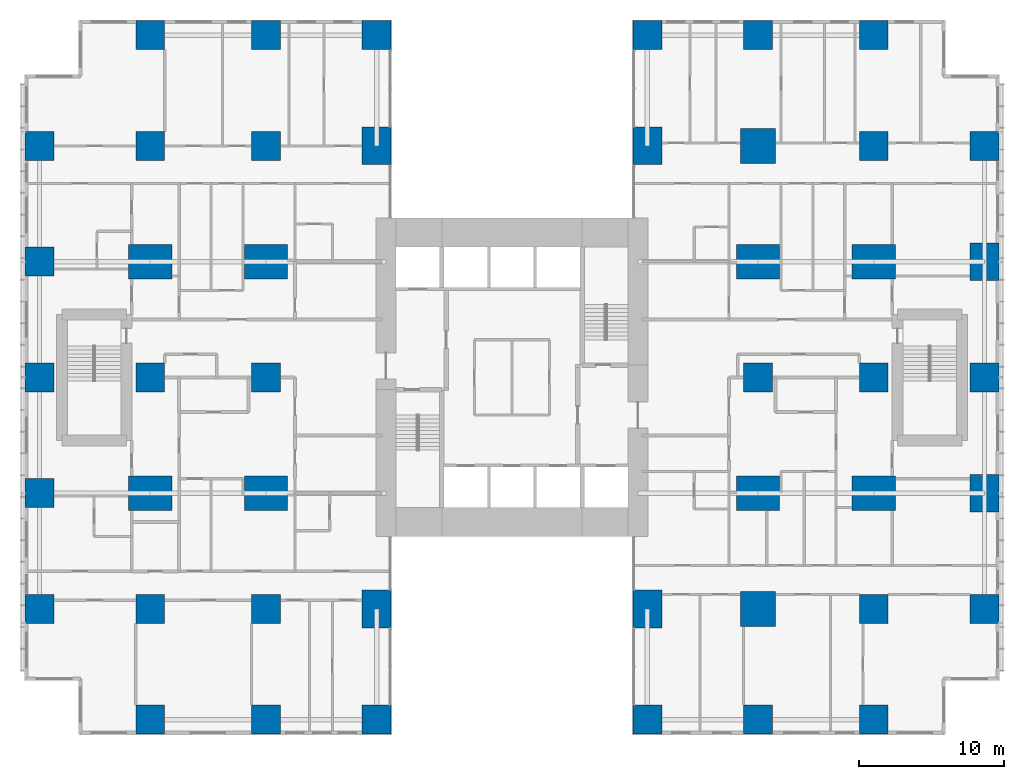
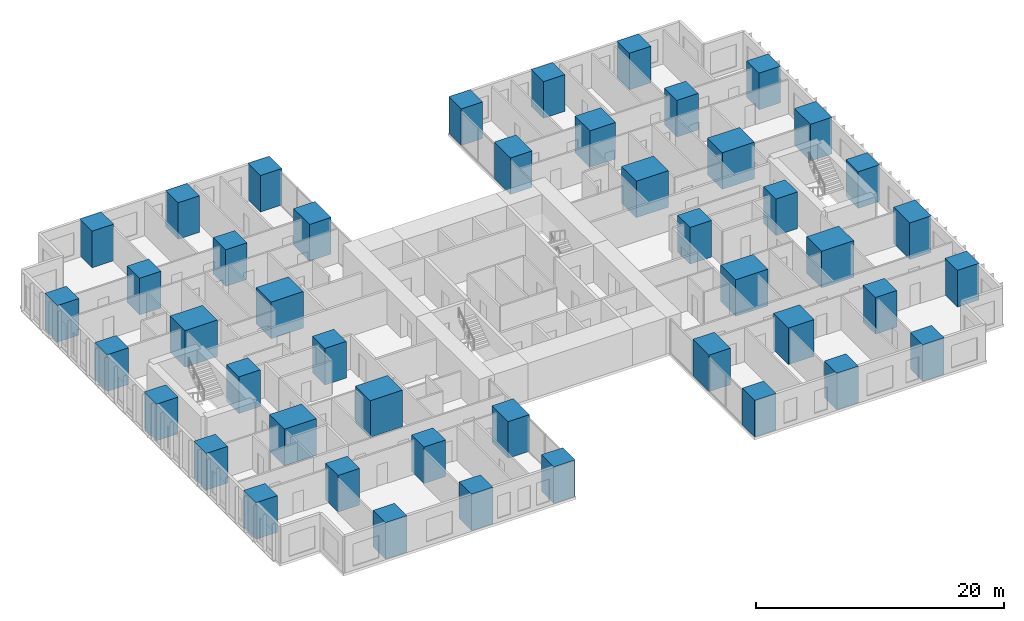
# One storey, part 1 of 20: 46 columns.
"""IFC4 building model written with IfcOpenShell, lengths in metres."""

from ifc_helpers import new_model, si_unit, direction, frame, origin, origin_2d, place, context, subcontext, project, spatial, rectangle, extrude, material, material_profile, profile_set, type_object, element, save


model = new_model("IFC4")

# Units and contexts
model_context = context("Model", 3, precision=1e-05, world=origin(), true_north=direction((0.0, 1.0)))
body_context = subcontext(model_context, "Body", "Model", "MODEL_VIEW")
ifc_project = project(units=[si_unit("LENGTHUNIT", "METRE"), si_unit("AREAUNIT", "SQUARE_METRE"), si_unit("VOLUMEUNIT", "CUBIC_METRE"), si_unit("PLANEANGLEUNIT", "RADIAN"), si_unit("MASSUNIT", "GRAM", prefix="KILO")], contexts=[model_context])

# Site, building, storey
site_placement = place(None, origin())
site = spatial("IfcSite", under=ifc_project, at=site_placement, CompositionType="ELEMENT")
building_placement = place(site_placement, origin())
building = spatial("IfcBuilding", under=site, at=building_placement, Name="Cleftline Residences", CompositionType="ELEMENT")
storey_placement = place(building_placement, frame((0.0, 0.0, 153.800048828125)))
storey = spatial("IfcBuildingStorey", under=building, at=storey_placement, Name="L40", CompositionType="ELEMENT", Elevation=153.800048828125)

# Columns
ifc_material_1 = material(Name="Concrete B70", Category="concrete")
ifc_material_profile_1 = material_profile(ifc_material_1, rectangle(XDim=2.0, YDim=2.0, at=origin_2d()))
ifc_profile_set_1 = profile_set([ifc_material_profile_1], Name="Concrete B70")
column_type_1 = type_object("IfcColumnType", Name="COLUMN RC2000X2000", PredefinedType="COLUMN", material=ifc_profile_set_1)
for number, where, z_axis, x_axis, name in (
    (1, (0.35009765625, 8.0, 0.0), (0.0, 0.0, 1.0), (1.0, 0.0, 0.0), "Column D/3"),
    (2, (0.35009765625, 16.0, 0.0), (0.0, 0.0, 1.0), (1.0, 0.0, 0.0), "Column E/3"),
    (3, (0.35009765625, 24.0, 0.0), (0.0, 0.0, 1.0), (1.0, 0.0, 0.0), "Column F/3"),
    (4, (0.35009765625, 32.0, 0.0), (0.0, 0.0, 1.0), (1.0, 0.0, 0.0), "Column G/3"),
    (5, (0.35009765625, 40.0, 0.0), (0.0, 0.0, 1.0), (1.0, 0.0, 0.0), "Column H/3"),
    (6, (8.0, 0.35009765625, 0.0), (0.0, 0.0, 1.0), (1.0, 0.0, 0.0), "Column C/4"),
    (7, (8.0, 8.0, 0.0), (0.0, 0.0, 1.0), (1.0, 0.0, 0.0), "Column D/4"),
    (8, (8.0, 24.0, 0.0), (0.0, 0.0, 1.0), (1.0, 0.0, 0.0), "Column F/4"),
    (9, (8.0, 40.0, 0.0), (0.0, 0.0, 1.0), (1.0, 0.0, 0.0), "Column H/4"),
    (10, (8.0, 47.64990234375, 0.0), (0.0, 0.0, 1.0), (1.0, 0.0, 0.0), "Column J/4"),
    (11, (16.0, 0.35009765625, 0.0), (0.0, 0.0, 1.0), (1.0, 0.0, 0.0), "Column C/5"),
    (12, (16.0, 8.0, 0.0), (0.0, 0.0, 1.0), (1.0, 0.0, 0.0), "Column D/5"),
    (13, (16.0, 24.0, 0.0), (0.0, 0.0, 1.0), (1.0, 0.0, 0.0), "Column F/5"),
    (14, (16.0, 40.0, 0.0), (0.0, 0.0, 1.0), (1.0, 0.0, 0.0), "Column H/5"),
    (15, (16.0, 47.64990234375, 0.0), (0.0, 0.0, 1.0), (1.0, 0.0, 0.0), "Column J/5"),
    (16, (23.64990234375, 0.35009765625, 0.0), (0.0, 0.0, 1.0), (1.0, 0.0, 0.0), "Column C/6"),
    (17, (23.64990234375, 47.64990234375, 0.0), (0.0, 0.0, 1.0), (1.0, 0.0, 0.0), "Column J/6"),
    (18, (42.35009765625, 0.35009765625, 0.0), (0.0, 0.0, 1.0), (1.0, 0.0, 0.0), "Column C/8"),
    (19, (42.35009765625, 47.64990234375, 0.0), (0.0, 0.0, 1.0), (1.0, 0.0, 0.0), "Column J/8"),
    (20, (50.0, 0.35009765625, 0.0), (0.0, 0.0, 1.0), (1.0, 0.0, 0.0), "Column C/9"),
    (21, (50.0, 24.0, 0.0), (0.0, 0.0, 1.0), (1.0, 0.0, 0.0), "Column F/9"),
    (22, (50.0, 47.64990234375, 0.0), (0.0, 0.0, 1.0), (1.0, 0.0, 0.0), "Column J/9"),
    (23, (58.0, 0.35009765625, 0.0), (0.0, 0.0, 1.0), (1.0, 0.0, 0.0), "Column C/10"),
    (24, (58.0, 8.0, 0.0), (0.0, 0.0, 1.0), (1.0, 0.0, 0.0), "Column D/10"),
    (25, (58.0, 24.0, 0.0), (0.0, 0.0, 1.0), (1.0, 0.0, 0.0), "Column F/10"),
    (26, (58.0, 40.0, 0.0), (0.0, 0.0, 1.0), (1.0, 0.0, 0.0), "Column H/10"),
    (27, (58.0, 47.64990234375, 0.0), (0.0, 0.0, 1.0), (1.0, 0.0, 0.0), "Column J/10"),
    (28, (65.64990234375, 8.0, 0.0), (0.0, 0.0, 1.0), (1.0, 0.0, 0.0), "Column D/11"),
    (29, (65.64990234375, 24.0, 0.0), (0.0, 0.0, 1.0), (1.0, 0.0, 0.0), "Column F/11"),
    (30, (65.64990234375, 40.0, 0.0), (0.0, 0.0, 1.0), (1.0, 0.0, 0.0), "Column H/11"),
):
    element("IfcColumn", number, at=place(storey_placement, frame(where, z_axis=z_axis, x_axis=x_axis)), inside=storey, type_object=column_type_1, Name=name, PredefinedType="COLUMN", context=body_context, shape_type="SweptSolid", body=[
        extrude(rectangle(XDim=2.0, YDim=2.0, at=origin_2d()), origin(), (0.0, 0.0, 1.0), 3.599853515625),
    ])
ifc_material_2 = material(Name="Concrete B70", Category="concrete")
ifc_material_profile_2 = material_profile(ifc_material_2, rectangle(XDim=2.0, YDim=2.60009765625, at=origin_2d()))
ifc_profile_set_2 = profile_set([ifc_material_profile_2], Name="Concrete B70")
column_type_2 = type_object("IfcColumnType", Name="COLUMN RC2000X2600", PredefinedType="COLUMN", material=ifc_profile_set_2)
for number, where, z_axis, x_axis, name in (
    (31, (23.64990234375, 8.0, 0.0), (0.0, 0.0, 1.0), (1.0, 0.0, 0.0), "Column D/6"),
    (32, (23.64990234375, 40.0, 0.0), (0.0, 0.0, 1.0), (1.0, 0.0, 0.0), "Column H/6"),
    (33, (42.35009765625, 8.0, 0.0), (0.0, 0.0, 1.0), (1.0, 0.0, 0.0), "Column D/8"),
    (34, (42.35009765625, 40.0, 0.0), (0.0, 0.0, 1.0), (1.0, 0.0, 0.0), "Column H/8"),
):
    element("IfcColumn", number, at=place(storey_placement, frame(where, z_axis=z_axis, x_axis=x_axis)), inside=storey, type_object=column_type_2, Name=name, PredefinedType="COLUMN", context=body_context, shape_type="SweptSolid", body=[
        extrude(rectangle(XDim=2.0, YDim=2.60009765625, at=origin_2d()), origin(), (0.0, 0.0, 1.0), 3.599853515625),
    ])
ifc_material_3 = material(Name="Concrete B70", Category="concrete")
ifc_material_profile_3 = material_profile(ifc_material_3, rectangle(XDim=2.39990234375, YDim=2.39990234375, at=origin_2d()))
ifc_profile_set_3 = profile_set([ifc_material_profile_3], Name="Concrete B70")
column_type_3 = type_object("IfcColumnType", Name="COLUMN RC2400X2400", PredefinedType="COLUMN", material=ifc_profile_set_3)
for number, where, z_axis, x_axis, name in (
    (35, (50.0, 8.0, 0.0), (0.0, 0.0, 1.0), (1.0, 0.0, 0.0), "Column D/9"),
    (36, (50.0, 40.0, 0.0), (0.0, 0.0, 1.0), (1.0, 0.0, 0.0), "Column H/9"),
):
    element("IfcColumn", number, at=place(storey_placement, frame(where, z_axis=z_axis, x_axis=x_axis)), inside=storey, type_object=column_type_3, Name=name, PredefinedType="COLUMN", context=body_context, shape_type="SweptSolid", body=[
        extrude(rectangle(XDim=2.39990234375, YDim=2.39990234375, at=origin_2d()), origin(), (0.0, 0.0, 1.0), 3.599853515625),
    ])
ifc_material_4 = material(Name="Concrete B70", Category="concrete")
ifc_material_profile_4 = material_profile(ifc_material_4, rectangle(XDim=2.60009765625, YDim=2.0, at=origin_2d()))
ifc_profile_set_4 = profile_set([ifc_material_profile_4], Name="Concrete B70")
column_type_4 = type_object("IfcColumnType", Name="COLUMN RC2600X2000", PredefinedType="COLUMN", material=ifc_profile_set_4)
for number, where, z_axis, x_axis, name in (
    (37, (65.64990234375, 16.0, 0.0), (0.0, 0.0, 1.0), (0.0, 1.0, 0.0), "Column E/11"),
    (38, (65.64990234375, 32.0, 0.0), (0.0, 0.0, 1.0), (0.0, 1.0, 0.0), "Column G/11"),
):
    element("IfcColumn", number, at=place(storey_placement, frame(where, z_axis=z_axis, x_axis=x_axis)), inside=storey, type_object=column_type_4, Name=name, PredefinedType="COLUMN", context=body_context, shape_type="SweptSolid", body=[
        extrude(rectangle(XDim=2.60009765625, YDim=2.0, at=origin_2d()), origin(), (0.0, 0.0, 1.0), 3.599853515625),
    ])
ifc_material_5 = material(Name="Concrete B70", Category="concrete")
ifc_material_profile_5 = material_profile(ifc_material_5, rectangle(XDim=3.0, YDim=2.39990234375, at=origin_2d()))
ifc_profile_set_5 = profile_set([ifc_material_profile_5], Name="Concrete B70")
column_type_5 = type_object("IfcColumnType", Name="COLUMN RC3000X2400", PredefinedType="COLUMN", material=ifc_profile_set_5)
for number, where, z_axis, x_axis, name in (
    (39, (8.0, 16.0, 0.0), (0.0, 0.0, 1.0), (1.0, 0.0, 0.0), "Column E/4"),
    (40, (8.0, 32.0, 0.0), (0.0, 0.0, 1.0), (1.0, 0.0, 0.0), "Column G/4"),
    (41, (16.0, 16.0, 0.0), (0.0, 0.0, 1.0), (1.0, 0.0, 0.0), "Column E/5"),
    (42, (16.0, 32.0, 0.0), (0.0, 0.0, 1.0), (1.0, 0.0, 0.0), "Column G/5"),
    (43, (50.0, 16.0, 0.0), (0.0, 0.0, 1.0), (1.0, 0.0, 0.0), "Column E/9"),
    (44, (50.0, 32.0, 0.0), (0.0, 0.0, 1.0), (1.0, 0.0, 0.0), "Column G/9"),
    (45, (58.0, 16.0, 0.0), (0.0, 0.0, 1.0), (1.0, 0.0, 0.0), "Column E/10"),
    (46, (58.0, 32.0, 0.0), (0.0, 0.0, 1.0), (1.0, 0.0, 0.0), "Column G/10"),
):
    element("IfcColumn", number, at=place(storey_placement, frame(where, z_axis=z_axis, x_axis=x_axis)), inside=storey, type_object=column_type_5, Name=name, PredefinedType="COLUMN", context=body_context, shape_type="SweptSolid", body=[
        extrude(rectangle(XDim=3.0, YDim=2.39990234375, at=origin_2d()), origin(), (0.0, 0.0, 1.0), 3.599853515625),
    ])

save(model, "model.ifc")
